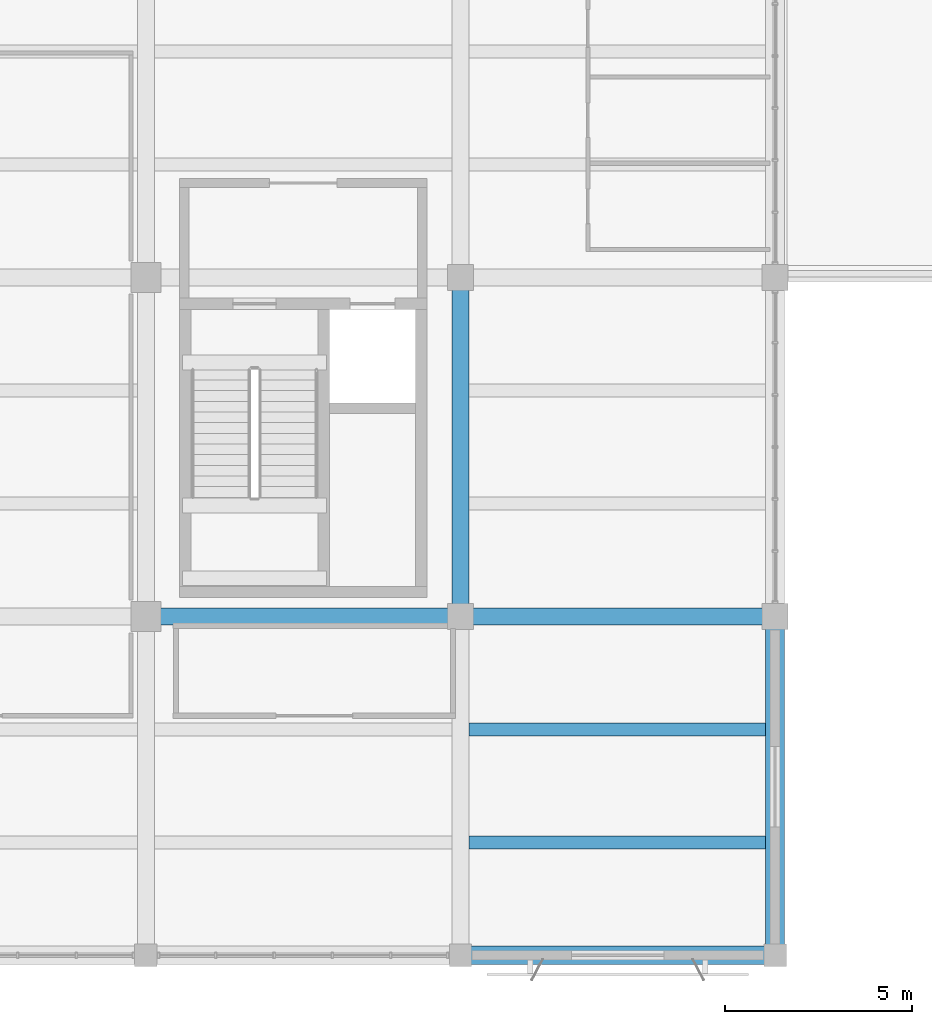
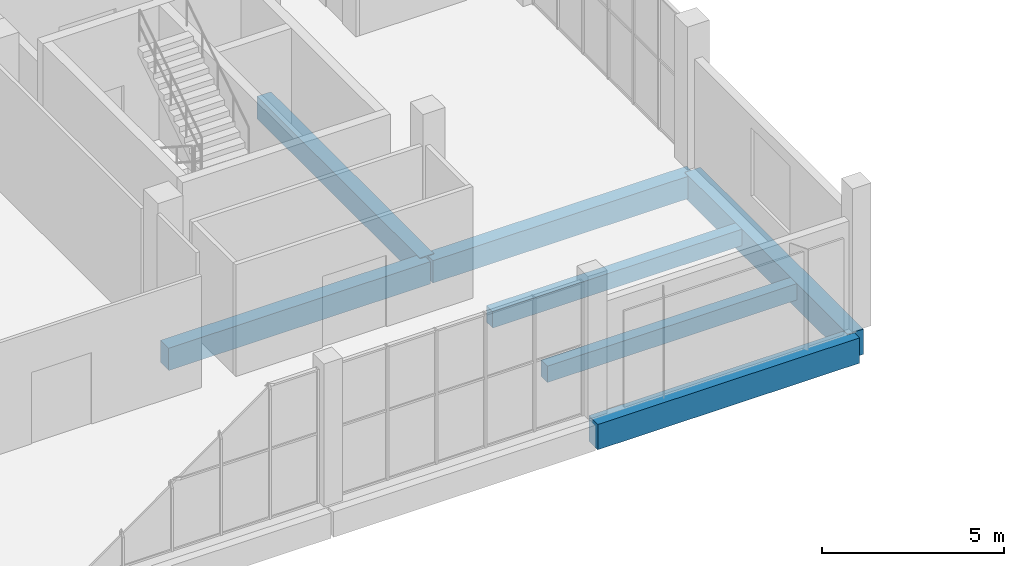
# One storey, part 20 of 80: 7 beams.
"""IFC4 building model written with IfcOpenShell, lengths in metres."""

from ifc_helpers import new_model, si_unit, direction, frame, origin, origin_2d, place, context, subcontext, project, spatial, rectangle, extrude, material, material_profile, profile_set, type_object, element, save


model = new_model("IFC4")

# Units and contexts
model_context = context("Model", 3, precision=1e-05, world=origin(), true_north=direction((0.0, 1.0)))
body_context = subcontext(model_context, "Body", "Model", "MODEL_VIEW")
ifc_project = project(units=[si_unit("LENGTHUNIT", "METRE"), si_unit("AREAUNIT", "SQUARE_METRE"), si_unit("VOLUMEUNIT", "CUBIC_METRE"), si_unit("PLANEANGLEUNIT", "RADIAN"), si_unit("MASSUNIT", "GRAM", prefix="KILO")], contexts=[model_context])

# Site, building, storey
site_placement = place(None, origin())
site = spatial("IfcSite", under=ifc_project, at=site_placement, CompositionType="ELEMENT")
building_placement = place(site_placement, origin())
building = spatial("IfcBuilding", under=site, at=building_placement, Name="Khurvash Pelagic Aquarium", CompositionType="ELEMENT")
storey_placement = place(building_placement, frame((0.0, 0.0, 10.800048828125)))
storey = spatial("IfcBuildingStorey", under=building, at=storey_placement, Name="L02", CompositionType="ELEMENT", Elevation=10.800048828125)

# Beams
ifc_material_1 = material(Name="Concrete C35/45", Category="concrete")
ifc_material_profile_1 = material_profile(ifc_material_1, rectangle(XDim=0.449951171875, YDim=0.75, at=origin_2d()), Name="RC450X750")
ifc_profile_set_1 = profile_set([ifc_material_profile_1], Name="Concrete C35/45")
beam_type_1 = type_object("IfcBeamType", Name="BM-04", PredefinedType="BEAM", material=ifc_profile_set_1)
beam_1_placement = place(storey_placement, frame((92.43994140625, 11.64990234375, -0.695068359375), z_axis=(1.0, 0.0, 0.0), x_axis=(0.0, 1.0, 0.0)))
element("IfcBeam", 1, at=beam_1_placement, inside=storey, type_object=beam_type_1, Name="L02 Primary Girder BM-04 00580", PredefinedType="BEAM", context=body_context, shape_type="SweptSolid", body=[
    extrude(rectangle(XDim=0.449951171875, YDim=0.75, at=origin_2d()), origin(), (0.0, 0.0, 1.0), 8.320068359375),
])
beam_2_placement = place(storey_placement, frame((100.840087890625, 11.64990234375, -0.695068359375), z_axis=(1.0, 0.0, 0.0), x_axis=(0.0, 1.0, 0.0)))
element("IfcBeam", 2, at=beam_2_placement, inside=storey, type_object=beam_type_1, Name="L02 Primary Girder BM-04 00581", PredefinedType="BEAM", context=body_context, shape_type="SweptSolid", body=[
    extrude(rectangle(XDim=0.449951171875, YDim=0.75, at=origin_2d()), origin(), (0.0, 0.0, 1.0), 8.31982421875),
])
beam_3_placement = place(storey_placement, frame((100.800048828125, 11.68994140625, -0.675048828125), z_axis=(0.0, 1.0, 0.0), x_axis=(-1.0, 0.0, 0.0)))
element("IfcBeam", 3, at=beam_3_placement, inside=storey, type_object=beam_type_1, Name="L02 Primary Girder BM-04 00706", PredefinedType="BEAM", context=body_context, shape_type="SweptSolid", body=[
    extrude(rectangle(XDim=0.449951171875, YDim=0.75, at=origin_2d()), origin(), (0.0, 0.0, 1.0), 8.969970703125),
])
ifc_material_profile_2 = material_profile(ifc_material_1, rectangle(XDim=0.35009765625, YDim=0.550048828125, at=origin_2d()), Name="RC350X550")
ifc_profile_set_2 = profile_set([ifc_material_profile_2], Name="Concrete C35/45")
beam_type_2 = type_object("IfcBeamType", Name="JS-01", PredefinedType="JOIST", material=ifc_profile_set_2)
for number, where, z_axis, x_axis, name in (
    (4, (101.02490234375, 5.616943359375, -0.574951171875), (1.0, 0.0, 0.0), (0.0, 1.0, 0.0), "L02 Floor Joist JS-01 00813"),
    (5, (101.02490234375, 8.633056640625, -0.574951171875), (1.0, 0.0, 0.0), (0.0, 1.0, 0.0), "L02 Floor Joist JS-01 00814"),
):
    element("IfcBeam", number, at=place(storey_placement, frame(where, z_axis=z_axis, x_axis=x_axis)), inside=storey, type_object=beam_type_2, Name=name, PredefinedType="JOIST", context=body_context, shape_type="SweptSolid", body=[
        extrude(rectangle(XDim=0.35009765625, YDim=0.550048828125, at=origin_2d()), origin(), (0.0, 0.0, 1.0), 7.925048828125),
    ])
ifc_material_2 = material(Name="Concrete C40/50", Category="concrete")
ifc_material_profile_3 = material_profile(ifc_material_2, rectangle(XDim=0.5, YDim=0.85009765625, at=origin_2d()), Name="RC500X850")
ifc_profile_set_3 = profile_set([ifc_material_profile_3], Name="Concrete C40/50")
beam_type_3 = type_object("IfcBeamType", Name="SEB-03", PredefinedType="SPANDREL", material=ifc_profile_set_3)
beam_4_placement = place(storey_placement, frame((100.840087890625, 2.60009765625, -0.7451171875), z_axis=(1.0, 0.0, 0.0), x_axis=(0.0, 1.0, 0.0)))
element("IfcBeam", 6, at=beam_4_placement, inside=storey, type_object=beam_type_3, Name="L02 Primary Girder SEB-03 00571", PredefinedType="SPANDREL", context=body_context, shape_type="SweptSolid", body=[
    extrude(rectangle(XDim=0.5, YDim=0.85009765625, at=origin_2d()), origin(), (0.0, 0.0, 1.0), 8.31982421875),
])
beam_5_placement = place(storey_placement, frame((109.199951171875, 2.639892578125, -0.72509765625), z_axis=(0.0, 1.0, 0.0), x_axis=(-1.0, 0.0, 0.0)))
element("IfcBeam", 7, at=beam_5_placement, inside=storey, type_object=beam_type_3, Name="L02 Primary Girder SEB-03 00711", PredefinedType="SPANDREL", context=body_context, shape_type="SweptSolid", body=[
    extrude(rectangle(XDim=0.5, YDim=0.85009765625, at=origin_2d()), origin(), (0.0, 0.0, 1.0), 8.97021484375),
])

save(model, "model.ifc")
